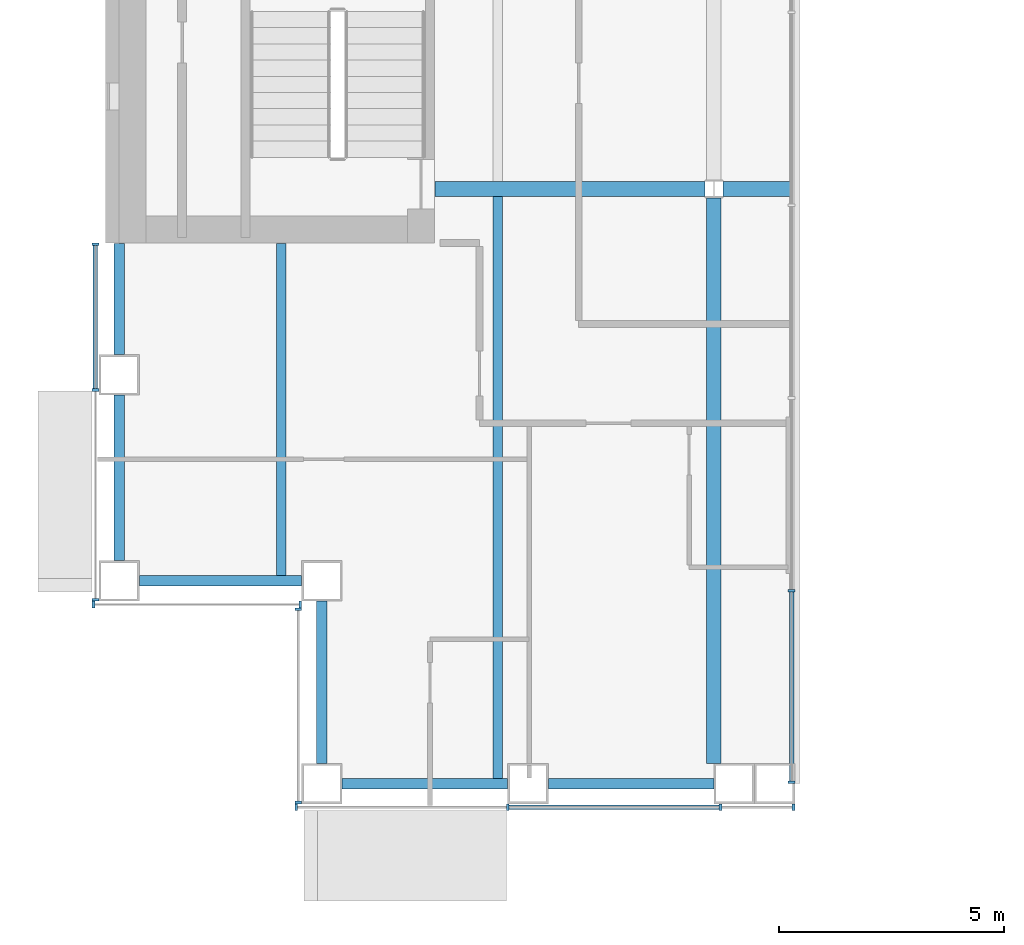
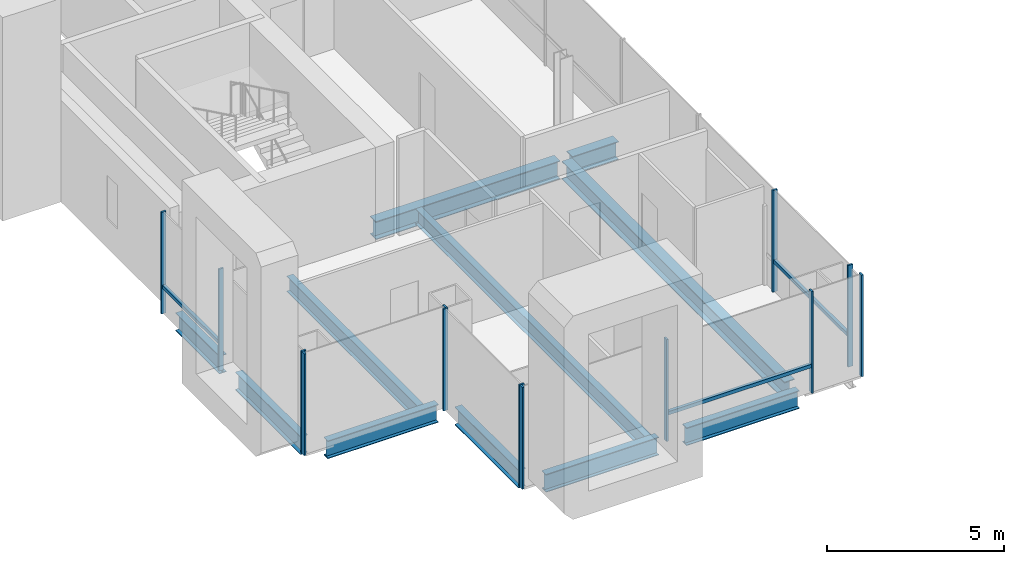
# One storey, part 2 of 20: 16 members, 11 beams, 5 elements without a shape of their own.
"""IFC4 building model written with IfcOpenShell, lengths in metres."""

from ifc_helpers import new_model, si_unit, direction, frame, origin, origin_2d, place, context, subcontext, project, spatial, rectangle, i_section, extrude, material, material_profile, profile_set, type_object, element, aggregate, save


model = new_model("IFC4")

# Units and contexts
model_context = context("Model", 3, precision=1e-05, world=origin(), true_north=direction((0.0, 1.0)))
body_context = subcontext(model_context, "Body", "Model", "MODEL_VIEW")
ifc_project = project(units=[si_unit("LENGTHUNIT", "METRE"), si_unit("AREAUNIT", "SQUARE_METRE"), si_unit("VOLUMEUNIT", "CUBIC_METRE"), si_unit("PLANEANGLEUNIT", "RADIAN"), si_unit("MASSUNIT", "GRAM", prefix="KILO")], contexts=[model_context])

# Site, building, storey
site_placement = place(None, origin())
site = spatial("IfcSite", under=ifc_project, at=site_placement, CompositionType="ELEMENT")
building_placement = place(site_placement, origin())
building = spatial("IfcBuilding", under=site, at=building_placement, Name="Cobrizo Arcos Hotel Tower", CompositionType="ELEMENT")
storey_placement = place(building_placement, frame((0.0, 0.0, 124.0)))
storey = spatial("IfcBuildingStorey", under=building, at=storey_placement, Name="L31", CompositionType="ELEMENT", Elevation=124.0)

# Curtain wall, members
ifc_material_1 = material(Name="Aluminium 6063-T6 anodised bronze", Category="aluminium")
curtain_wall_type_1 = type_object("IfcCurtainWallType", Name="CW-A guest facade", PredefinedType="NOTDEFINED", material=ifc_material_1)
curtain_wall_1_placement = place(storey_placement, origin())
curtain_wall_1 = element("IfcCurtainWall", 1, at=curtain_wall_1_placement, inside=storey, type_object=curtain_wall_type_1, Name="CW-A L31 S face", PredefinedType="NOTDEFINED")
ifc_material_profile_1 = material_profile(ifc_material_1, rectangle(XDim=0.14990234375, YDim=0.06005859375, at=origin_2d()), Name="CW-A mullion 150x60")
ifc_profile_set_1 = profile_set([ifc_material_profile_1], Name="Aluminium 6063-T6 anodised bronze")
member_type_1 = type_object("IfcMemberType", Name="CW-A mullion 150x60", PredefinedType="MULLION", material=ifc_profile_set_1)
member_1_placement = place(storey_placement, frame((-18.8701171875, -23.324951171875, 0.0), z_axis=(0.0, 0.0, 1.0), x_axis=(0.0, -1.0, 0.0)))
member_1 = element("IfcMember", 2, at=member_1_placement, type_object=member_type_1, Name="CW-A mullion 1", PredefinedType="MULLION", context=body_context, shape_type="SweptSolid", body=[
    extrude(rectangle(XDim=0.14990234375, YDim=0.06005859375, at=origin_2d()), origin(), (0.0, 0.0, 1.0), 3.5),
])
member_2_placement = place(storey_placement, frame((-14.175048828125, -23.324951171875, 0.0), z_axis=(0.0, 0.0, 1.0), x_axis=(0.0, -1.0, 0.0)))
member_2 = element("IfcMember", 3, at=member_2_placement, type_object=member_type_1, Name="CW-A mullion 2", PredefinedType="MULLION", context=body_context, shape_type="SweptSolid", body=[
    extrude(rectangle(XDim=0.14990234375, YDim=0.06005859375, at=origin_2d()), origin(), (0.0, 0.0, 1.0), 3.5),
])
member_3_placement = place(storey_placement, frame((-9.449951171875, -23.324951171875, 0.0), z_axis=(0.0, 0.0, 1.0), x_axis=(0.0, -1.0, 0.0)))
member_3 = element("IfcMember", 4, at=member_3_placement, type_object=member_type_1, Name="CW-A mullion 3", PredefinedType="MULLION", context=body_context, shape_type="SweptSolid", body=[
    extrude(rectangle(XDim=0.14990234375, YDim=0.06005859375, at=origin_2d()), origin(), (0.0, 0.0, 1.0), 3.5),
])
member_4_placement = place(storey_placement, frame((-7.830078125, -23.324951171875, 0.0), z_axis=(0.0, 0.0, 1.0), x_axis=(0.0, -1.0, 0.0)))
member_4 = element("IfcMember", 5, at=member_4_placement, type_object=member_type_1, Name="CW-A mullion 4", PredefinedType="MULLION", context=body_context, shape_type="SweptSolid", body=[
    extrude(rectangle(XDim=0.14990234375, YDim=0.06005859375, at=origin_2d()), origin(), (0.0, 0.0, 1.0), 3.5),
])

curtain_wall_2_placement = place(storey_placement, origin())
curtain_wall_2 = element("IfcCurtainWall", 6, at=curtain_wall_2_placement, inside=storey, type_object=curtain_wall_type_1, Name="CW-A L31 W face", PredefinedType="NOTDEFINED")
member_5_placement = place(storey_placement, frame((-23.324951171875, -10.830078125, 0.0), z_axis=(0.0, 0.0, 1.0), x_axis=(-1.0, 0.0, 0.0)))
member_5 = element("IfcMember", 7, at=member_5_placement, type_object=member_type_1, Name="CW-A mullion 1", PredefinedType="MULLION", context=body_context, shape_type="SweptSolid", body=[
    extrude(rectangle(XDim=0.14990234375, YDim=0.06005859375, at=origin_2d()), origin(), (0.0, 0.0, 1.0), 3.5),
])
member_6_placement = place(storey_placement, frame((-23.324951171875, -14.0625, 0.0), z_axis=(0.0, 0.0, 1.0), x_axis=(-1.0, 0.0, 0.0)))
member_6 = element("IfcMember", 8, at=member_6_placement, type_object=member_type_1, Name="CW-A mullion 2", PredefinedType="MULLION", context=body_context, shape_type="SweptSolid", body=[
    extrude(rectangle(XDim=0.14990234375, YDim=0.06005859375, at=origin_2d()), origin(), (0.0, 0.0, 1.0), 3.5),
])
member_7_placement = place(storey_placement, frame((-23.324951171875, -18.719970703125, 0.0), z_axis=(0.0, 0.0, 1.0), x_axis=(-1.0, 0.0, 0.0)))
member_7 = element("IfcMember", 9, at=member_7_placement, type_object=member_type_1, Name="CW-A mullion 3", PredefinedType="MULLION", context=body_context, shape_type="SweptSolid", body=[
    extrude(rectangle(XDim=0.14990234375, YDim=0.06005859375, at=origin_2d()), origin(), (0.0, 0.0, 1.0), 3.5),
])

curtain_wall_3_placement = place(storey_placement, origin())
curtain_wall_3 = element("IfcCurtainWall", 10, at=curtain_wall_3_placement, inside=storey, type_object=curtain_wall_type_1, Name="CW-A L31 S face", PredefinedType="NOTDEFINED")
member_8_placement = place(storey_placement, frame((-23.3701171875, -18.824951171875, 0.0), z_axis=(0.0, 0.0, 1.0), x_axis=(0.0, -1.0, 0.0)))
member_8 = element("IfcMember", 11, at=member_8_placement, type_object=member_type_1, Name="CW-A mullion 1", PredefinedType="MULLION", context=body_context, shape_type="SweptSolid", body=[
    extrude(rectangle(XDim=0.14990234375, YDim=0.06005859375, at=origin_2d()), origin(), (0.0, 0.0, 1.0), 3.5),
])
member_9_placement = place(storey_placement, frame((-18.780029296875, -18.824951171875, 0.0), z_axis=(0.0, 0.0, 1.0), x_axis=(0.0, -1.0, 0.0)))
member_9 = element("IfcMember", 12, at=member_9_placement, type_object=member_type_1, Name="CW-A mullion 2", PredefinedType="MULLION", context=body_context, shape_type="SweptSolid", body=[
    extrude(rectangle(XDim=0.14990234375, YDim=0.06005859375, at=origin_2d()), origin(), (0.0, 0.0, 1.0), 3.5),
])
aggregate(curtain_wall_3, [member_8, member_9])

curtain_wall_4_placement = place(storey_placement, origin())
curtain_wall_4 = element("IfcCurtainWall", 13, at=curtain_wall_4_placement, inside=storey, type_object=curtain_wall_type_1, Name="CW-A L31 W face", PredefinedType="NOTDEFINED")
member_10_placement = place(storey_placement, frame((-18.824951171875, -18.929931640625, 0.0), z_axis=(0.0, 0.0, 1.0), x_axis=(-1.0, 0.0, 0.0)))
member_10 = element("IfcMember", 14, at=member_10_placement, type_object=member_type_1, Name="CW-A mullion 1", PredefinedType="MULLION", context=body_context, shape_type="SweptSolid", body=[
    extrude(rectangle(XDim=0.14990234375, YDim=0.06005859375, at=origin_2d()), origin(), (0.0, 0.0, 1.0), 3.5),
])
member_11_placement = place(storey_placement, frame((-18.824951171875, -23.219970703125, 0.0), z_axis=(0.0, 0.0, 1.0), x_axis=(-1.0, 0.0, 0.0)))
member_11 = element("IfcMember", 15, at=member_11_placement, type_object=member_type_1, Name="CW-A mullion 2", PredefinedType="MULLION", context=body_context, shape_type="SweptSolid", body=[
    extrude(rectangle(XDim=0.14990234375, YDim=0.06005859375, at=origin_2d()), origin(), (0.0, 0.0, 1.0), 3.5),
])
aggregate(curtain_wall_4, [member_10, member_11])

# Member
ifc_material_profile_2 = material_profile(ifc_material_1, rectangle(XDim=0.10009765625, YDim=0.1201171875, at=origin_2d()), Name="CW-A transom 120x100")
ifc_profile_set_2 = profile_set([ifc_material_profile_2], Name="Aluminium 6063-T6 anodised bronze")
member_type_2 = type_object("IfcMemberType", Name="CW-A transom 120x100", PredefinedType="USERDEFINED", material=ifc_profile_set_2)
member_12_placement = place(storey_placement, frame((-14.14501953125, -23.324951171875, 0.929931640625), z_axis=(1.0, 0.0, 0.0), x_axis=(0.0, 1.0, 0.0)))
member_12 = element("IfcMember", 16, at=member_12_placement, type_object=member_type_2, Name="CW-A transom 1164", ObjectType="TRANSOM", PredefinedType="USERDEFINED", context=body_context, shape_type="SweptSolid", body=[
    extrude(rectangle(XDim=0.10009765625, YDim=0.1201171875, at=origin_2d()), origin(), (0.0, 0.0, 1.0), 4.6650390625),
])

aggregate(curtain_wall_1, [member_1, member_2, member_3, member_4, member_12])

member_13_placement = place(storey_placement, frame((-23.324951171875, -10.860107421875, 0.929931640625), z_axis=(0.0, -1.0, 0.0), x_axis=(1.0, 0.0, 0.0)))
member_13 = element("IfcMember", 17, at=member_13_placement, type_object=member_type_2, Name="CW-A transom 1187", ObjectType="TRANSOM", PredefinedType="USERDEFINED", context=body_context, shape_type="SweptSolid", body=[
    extrude(rectangle(XDim=0.10009765625, YDim=0.1201171875, at=origin_2d()), origin(), (0.0, 0.0, 1.0), 3.17236328125),
])

aggregate(curtain_wall_2, [member_5, member_6, member_7, member_13])

# Curtain wall, members
curtain_wall_type_2 = type_object("IfcCurtainWallType", Name="CW-F void screen", PredefinedType="NOTDEFINED", material=ifc_material_1)
curtain_wall_5_placement = place(storey_placement, origin())
curtain_wall_5 = element("IfcCurtainWall", 18, at=curtain_wall_5_placement, inside=storey, type_object=curtain_wall_type_2, Name="CW-F L31 void screen B", PredefinedType="NOTDEFINED")
ifc_material_profile_3 = material_profile(ifc_material_1, rectangle(XDim=0.14990234375, YDim=0.06005859375, at=origin_2d()), Name="CW-F mullion 150x60")
ifc_profile_set_3 = profile_set([ifc_material_profile_3], Name="Aluminium 6063-T6 anodised bronze")
member_type_3 = type_object("IfcMemberType", Name="CW-F mullion 150x60", PredefinedType="MULLION", material=ifc_profile_set_3)
member_14_placement = place(storey_placement, frame((-7.875, -18.52001953125, 0.0), z_axis=(0.0, 0.0, 1.0), x_axis=(-1.0, 0.0, 0.0)))
member_14 = element("IfcMember", 19, at=member_14_placement, type_object=member_type_3, Name="CW-F mullion 5", PredefinedType="MULLION", context=body_context, shape_type="SweptSolid", body=[
    extrude(rectangle(XDim=0.14990234375, YDim=0.06005859375, at=origin_2d()), origin(), (0.0, 0.0, 1.0), 3.5),
])
member_15_placement = place(storey_placement, frame((-7.875, -22.77001953125, 0.0), z_axis=(0.0, 0.0, 1.0), x_axis=(-1.0, 0.0, 0.0)))
member_15 = element("IfcMember", 20, at=member_15_placement, type_object=member_type_3, Name="CW-F mullion 6", PredefinedType="MULLION", context=body_context, shape_type="SweptSolid", body=[
    extrude(rectangle(XDim=0.14990234375, YDim=0.06005859375, at=origin_2d()), origin(), (0.0, 0.0, 1.0), 3.5),
])
ifc_material_profile_4 = material_profile(ifc_material_1, rectangle(XDim=0.10009765625, YDim=0.1201171875, at=origin_2d()), Name="CW-F transom 120x100")
ifc_profile_set_4 = profile_set([ifc_material_profile_4], Name="Aluminium 6063-T6 anodised bronze")
member_type_4 = type_object("IfcMemberType", Name="CW-F transom 120x100", PredefinedType="USERDEFINED", material=ifc_profile_set_4)
member_16_placement = place(storey_placement, frame((-7.875, -18.550048828125, 1.050048828125), z_axis=(0.0, -1.0, 0.0), x_axis=(1.0, 0.0, 0.0)))
member_16 = element("IfcMember", 21, at=member_16_placement, type_object=member_type_4, Name="CW-F transom 2625", ObjectType="TRANSOM", PredefinedType="USERDEFINED", context=body_context, shape_type="SweptSolid", body=[
    extrude(rectangle(XDim=0.10009765625, YDim=0.1201171875, at=origin_2d()), origin(), (0.0, 0.0, 1.0), 4.18994140625),
])
aggregate(curtain_wall_5, [member_14, member_15, member_16])

# Beams
ifc_material_2 = material(Name="Steel ASTM A992 Grade 50", Category="steel")
ifc_material_profile_5 = material_profile(ifc_material_2, i_section(OverallWidth=0.209228515625, OverallDepth=0.533447265625, WebThickness=0.01025390625, FlangeThickness=0.015625, at=origin_2d()), Name="W21X62")
ifc_profile_set_5 = profile_set([ifc_material_profile_5], Name="Steel ASTM A992 Grade 50")
beam_type_1 = type_object("IfcBeamType", Name="W21X62 joist", PredefinedType="JOIST", material=ifc_profile_set_5)
beam_1_placement = place(storey_placement, frame((-19.199951171875, -18.2099609375, -0.416748046875), z_axis=(0.0, 1.0, 0.0), x_axis=(-1.0, 0.0, 0.0)))
element("IfcBeam", 22, at=beam_1_placement, inside=storey, type_object=beam_type_1, Name="Floor joist J1, L31, no. 001", PredefinedType="JOIST", context=body_context, shape_type="SweptSolid", body=[
    extrude(i_section(OverallWidth=0.209228515625, OverallDepth=0.533447265625, WebThickness=0.01025390625, FlangeThickness=0.015625, at=origin_2d()), origin(), (0.0, 0.0, 1.0), 7.39990234375),
])
beam_2_placement = place(storey_placement, frame((-14.39990234375, -22.7099609375, -0.416748046875), z_axis=(0.0, 1.0, 0.0), x_axis=(-1.0, 0.0, 0.0)))
element("IfcBeam", 23, at=beam_2_placement, inside=storey, type_object=beam_type_1, Name="Floor joist J1, L31, no. 003", PredefinedType="JOIST", context=body_context, shape_type="SweptSolid", body=[
    extrude(i_section(OverallWidth=0.209228515625, OverallDepth=0.533447265625, WebThickness=0.01025390625, FlangeThickness=0.015625, at=origin_2d()), origin(), (0.0, 0.0, 1.0), 12.946044921875),
])
ifc_material_profile_6 = material_profile(ifc_material_2, i_section(OverallWidth=0.32763671875, OverallDepth=0.622314453125, WebThickness=0.015380859375, FlangeThickness=0.0244140625, at=origin_2d()), Name="W24X131")
ifc_profile_set_6 = profile_set([ifc_material_profile_6], Name="Steel ASTM A992 Grade 50")
beam_type_2 = type_object("IfcBeamType", Name="W24X131 girder", PredefinedType="BEAM", material=ifc_profile_set_6)
beam_3_placement = place(storey_placement, frame((-15.7900390625, -9.60009765625, -0.461181640625), z_axis=(1.0, 0.0, 0.0), x_axis=(0.0, 1.0, 0.0)))
element("IfcBeam", 24, at=beam_3_placement, inside=storey, type_object=beam_type_2, Name="Floor girder G1, L31, no. 001", PredefinedType="BEAM", context=body_context, shape_type="SweptSolid", body=[
    extrude(i_section(OverallWidth=0.32763671875, OverallDepth=0.622314453125, WebThickness=0.015380859375, FlangeThickness=0.0244140625, at=origin_2d()), origin(), (0.0, 0.0, 1.0), 5.99072265625),
])
beam_4_placement = place(storey_placement, frame((-9.400634765625, -9.60009765625, -0.461181640625), z_axis=(1.0, 0.0, 0.0), x_axis=(0.0, 1.0, 0.0)))
element("IfcBeam", 25, at=beam_4_placement, inside=storey, type_object=beam_type_2, Name="Floor girder G1, L31, no. 002", PredefinedType="BEAM", context=body_context, shape_type="SweptSolid", body=[
    extrude(i_section(OverallWidth=0.32763671875, OverallDepth=0.622314453125, WebThickness=0.015380859375, FlangeThickness=0.0244140625, at=origin_2d()), origin(), (0.0, 0.0, 1.0), 1.5107421875),
])
beam_5_placement = place(storey_placement, frame((-9.60009765625, -22.35009765625, -0.461181640625), z_axis=(0.0, 1.0, 0.0), x_axis=(-1.0, 0.0, 0.0)))
element("IfcBeam", 26, at=beam_5_placement, inside=storey, type_object=beam_type_2, Name="Floor girder G1, L31, no. 012", PredefinedType="BEAM", context=body_context, shape_type="SweptSolid", body=[
    extrude(i_section(OverallWidth=0.32763671875, OverallDepth=0.622314453125, WebThickness=0.015380859375, FlangeThickness=0.0244140625, at=origin_2d()), origin(), (0.0, 0.0, 1.0), 12.55078125),
])
ifc_material_profile_7 = material_profile(ifc_material_2, i_section(OverallWidth=0.23046875, OverallDepth=0.6171875, WebThickness=0.01318359375, FlangeThickness=0.022216796875, at=origin_2d()), Name="W24X94")
ifc_profile_set_7 = profile_set([ifc_material_profile_7], Name="Steel ASTM A992 Grade 50")
beam_type_3 = type_object("IfcBeamType", Name="W24X94 spandrel", PredefinedType="SPANDREL", material=ifc_profile_set_7)
beam_6_placement = place(storey_placement, frame((-9.60009765625, -22.800048828125, -0.45849609375), z_axis=(-1.0, 0.0, 0.0), x_axis=(0.0, -1.0, 0.0)))
element("IfcBeam", 27, at=beam_6_placement, inside=storey, type_object=beam_type_3, Name="Spandrel beam W24X94, L31, no. 012", PredefinedType="SPANDREL", context=body_context, shape_type="SweptSolid", body=[
    extrude(i_section(OverallWidth=0.23046875, OverallDepth=0.6171875, WebThickness=0.01318359375, FlangeThickness=0.022216796875, at=origin_2d()), origin(), (0.0, 0.0, 1.0), 3.6748046875),
])
beam_7_placement = place(storey_placement, frame((-14.175048828125, -22.800048828125, -0.45849609375), z_axis=(-1.0, 0.0, 0.0), x_axis=(0.0, -1.0, 0.0)))
element("IfcBeam", 28, at=beam_7_placement, inside=storey, type_object=beam_type_3, Name="Spandrel beam W24X94, L31, no. 013", PredefinedType="SPANDREL", context=body_context, shape_type="SweptSolid", body=[
    extrude(i_section(OverallWidth=0.23046875, OverallDepth=0.6171875, WebThickness=0.01318359375, FlangeThickness=0.022216796875, at=origin_2d()), origin(), (0.0, 0.0, 1.0), 3.675048828125),
])
for number, where, z_axis, x_axis, name in (
    (29, (-18.300048828125, -22.35009765625, -0.45849609375), (0.0, 1.0, 0.0), (-1.0, 0.0, 0.0), "Spandrel beam W24X94, L31, no. 014"),
    (30, (-18.75, -18.300048828125, -0.45849609375), (-1.0, 0.0, 0.0), (0.0, -1.0, 0.0), "Spandrel beam W24X94, L31, no. 015"),
):
    element("IfcBeam", number, at=place(storey_placement, frame(where, z_axis=z_axis, x_axis=x_axis)), inside=storey, type_object=beam_type_3, Name=name, PredefinedType="SPANDREL", context=body_context, shape_type="SweptSolid", body=[
        extrude(i_section(OverallWidth=0.23046875, OverallDepth=0.6171875, WebThickness=0.01318359375, FlangeThickness=0.022216796875, at=origin_2d()), origin(), (0.0, 0.0, 1.0), 3.60009765625),
    ])
beam_8_placement = place(storey_placement, frame((-22.800048828125, -17.85009765625, -0.45849609375), z_axis=(0.0, 1.0, 0.0), x_axis=(-1.0, 0.0, 0.0)))
element("IfcBeam", 31, at=beam_8_placement, inside=storey, type_object=beam_type_3, Name="Spandrel beam W24X94, L31, no. 016", PredefinedType="SPANDREL", context=body_context, shape_type="SweptSolid", body=[
    extrude(i_section(OverallWidth=0.23046875, OverallDepth=0.6171875, WebThickness=0.01318359375, FlangeThickness=0.022216796875, at=origin_2d()), origin(), (0.0, 0.0, 1.0), 3.675048828125),
])
beam_9_placement = place(storey_placement, frame((-22.800048828125, -13.27490234375, -0.45849609375), z_axis=(0.0, 1.0, 0.0), x_axis=(-1.0, 0.0, 0.0)))
element("IfcBeam", 32, at=beam_9_placement, inside=storey, type_object=beam_type_3, Name="Spandrel beam W24X94, L31, no. 017", PredefinedType="SPANDREL", context=body_context, shape_type="SweptSolid", body=[
    extrude(i_section(OverallWidth=0.23046875, OverallDepth=0.6171875, WebThickness=0.01318359375, FlangeThickness=0.022216796875, at=origin_2d()), origin(), (0.0, 0.0, 1.0), 2.46484375),
])

save(model, "model.ifc")
